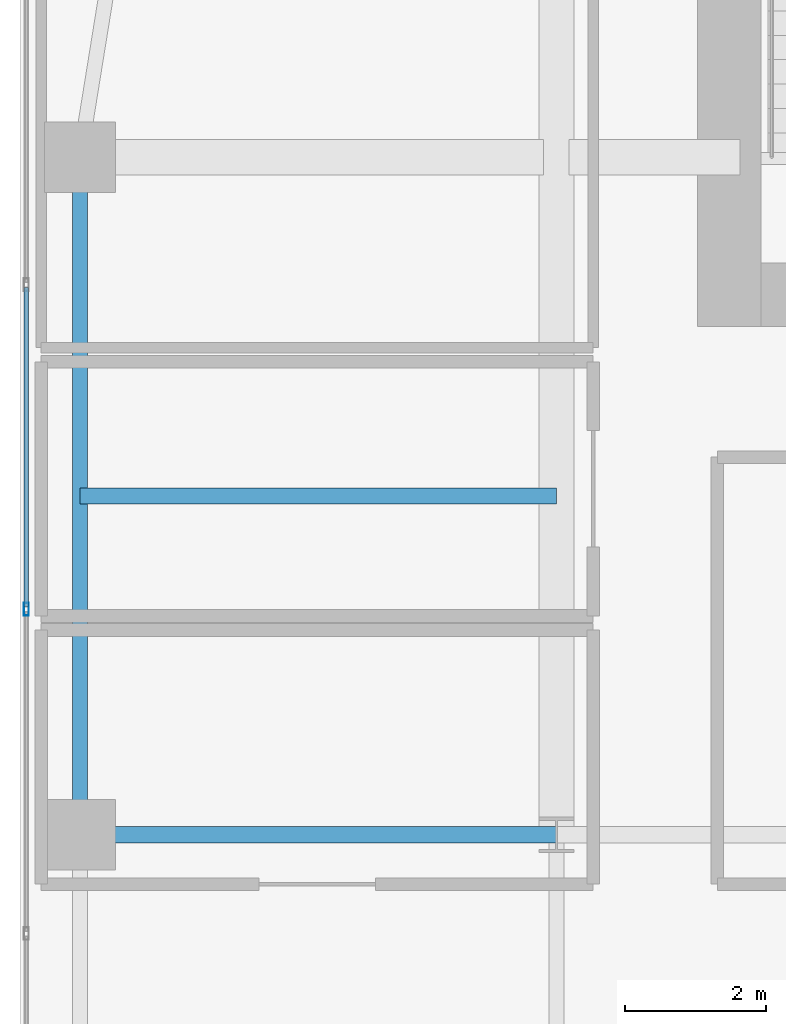
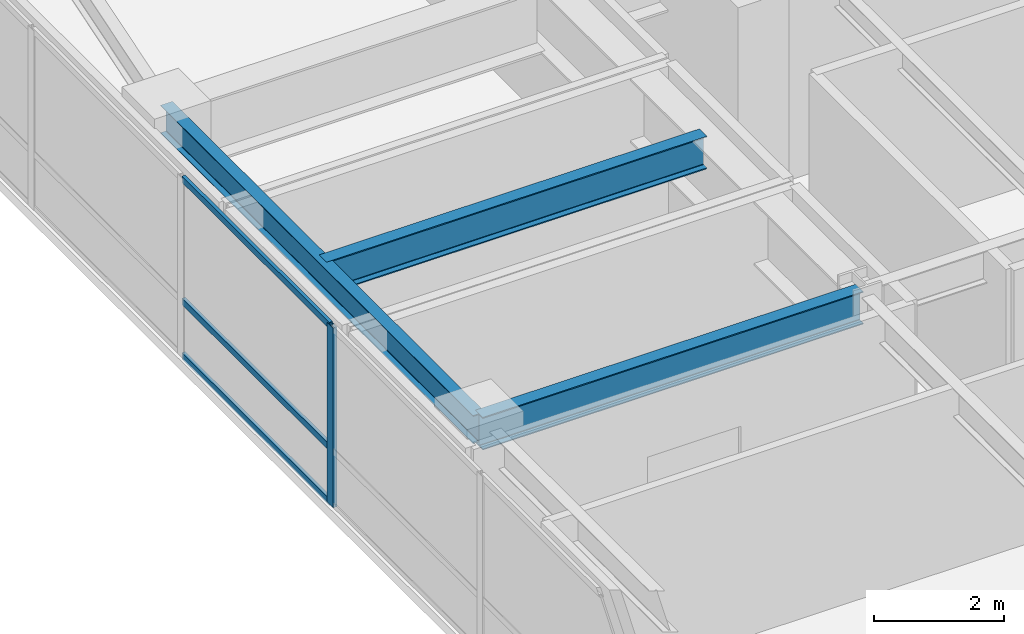
# One storey, part 11 of 30: 4 members, 3 beams, 1 element without a shape of its own.
"""IFC4 building model written with IfcOpenShell, lengths in metres."""

import ifcopenshell
import ifcopenshell.guid

model = None  # the IFC model being written
_history = None  # IfcOwnerHistory: only IFC2X3 demands one
_inside = {}  # id of a spatial element -> (the spatial element, [elements in it])
_under = {}  # id of a project, library or spatial element -> (it, [spatial elements below it])
_declared = {}  # id of a project -> (the project, [libraries it declares])
_typed = {}  # id of a type object -> (the type object, [elements of that type])
_made_of = {}  # id of a material, layer set ... -> (it, [elements and type objects made of it])


def new_model(schema):
    """Start an empty IFC model of exactly this schema.

    Asked for "IFC4X3", IfcOpenShell would pick the latest addendum, in which some entities
    have other attributes; the version numbers below select the first issue.
    IFC2X3 requires an IfcOwnerHistory on every rooted entity: one is made here for all.
    """
    global model, _history
    if schema == "IFC4X3":
        model = ifcopenshell.file(schema_version=(4, 3, 0, 0))
    else:
        model = ifcopenshell.file(schema=schema)
    _inside.clear()
    _under.clear()
    _declared.clear()
    _typed.clear()
    _made_of.clear()
    _history = None
    if model.schema == "IFC2X3":
        org = make("IfcOrganization", Name="unknown")
        user = make(
            "IfcPersonAndOrganization",
            ThePerson=make("IfcPerson", FamilyName="unknown"),
            TheOrganization=org,
        )
        app = make(
            "IfcApplication",
            ApplicationDeveloper=org,
            Version="unknown",
            ApplicationFullName="unknown",
            ApplicationIdentifier="unknown",
        )
        _history = make(
            "IfcOwnerHistory",
            OwningUser=user,
            OwningApplication=app,
            ChangeAction="ADDED",
            CreationDate=0,
        )
    return model


def make(cls, **values):
    """One entity of the class cls with the attributes given. An attribute that is None is left unset."""
    return model.create_entity(
        cls, **{name: value for name, value in values.items() if value is not None}
    )


def rooted(cls, **values):
    """An entity with a GlobalId (a new one), such as an element, a storey or a relation."""
    return make(cls, GlobalId=ifcopenshell.guid.new(), OwnerHistory=_history, **values)


def si_unit(unit_type, name, prefix=None):
    """IfcSIUnit, for example si_unit("LENGTHUNIT", "METRE", prefix="MILLI")."""
    return make("IfcSIUnit", UnitType=unit_type, Prefix=prefix, Name=name)


def assignment(units):
    """IfcUnitAssignment: the units of a project."""
    return None if units is None else make("IfcUnitAssignment", Units=units)


def point(xyz):
    """IfcCartesianPoint."""
    return None if xyz is None else make("IfcCartesianPoint", Coordinates=xyz)


def direction(xyz):
    """IfcDirection."""
    return None if xyz is None else make("IfcDirection", DirectionRatios=xyz)


def frame(location, z_axis=None, x_axis=None):
    """IfcAxis2Placement3D, a coordinate frame: its origin and axes. An axis left out is left unset."""
    return make(
        "IfcAxis2Placement3D",
        Location=point(location),
        Axis=direction(z_axis),
        RefDirection=direction(x_axis),
    )


def frame_2d(location, x_axis=None):
    """IfcAxis2Placement2D, a coordinate frame in the plane: its origin and x axis."""
    return make(
        "IfcAxis2Placement2D", Location=point(location), RefDirection=direction(x_axis)
    )


def origin():
    """The frame at (0, 0, 0) with its axes left unset."""
    return frame((0.0, 0.0, 0.0))


def origin_2d():
    """The frame at (0, 0) in the plane with its x axis left unset."""
    return frame_2d((0.0, 0.0))


def place(relative_to, where):
    """IfcLocalPlacement: puts the frame where relative to a parent placement (None: the world)."""
    return make(
        "IfcLocalPlacement", PlacementRelTo=relative_to, RelativePlacement=where
    )


def context(
    kind, dimensions, precision=None, world=None, true_north=None, identifier=None
):
    """IfcGeometricRepresentationContext, for example the 3D "Model" context."""
    return make(
        "IfcGeometricRepresentationContext",
        ContextIdentifier=identifier,
        ContextType=kind,
        CoordinateSpaceDimension=dimensions,
        Precision=precision,
        WorldCoordinateSystem=world,
        TrueNorth=true_north,
    )


def subcontext(parent, identifier, kind, view, scale=None):
    """IfcGeometricRepresentationSubContext, for example "Body" below "Model"."""
    return make(
        "IfcGeometricRepresentationSubContext",
        ContextIdentifier=identifier,
        ContextType=kind,
        ParentContext=parent,
        TargetScale=scale,
        TargetView=view,
    )


def project(units=None, contexts=None):
    """IfcProject with its units and contexts."""
    return rooted(
        "IfcProject",
        Name="project",
        RepresentationContexts=contexts,
        UnitsInContext=assignment(units),
    )


def spatial(cls, under=None, at=None, **own):
    """A site, building, storey or space (cls), placed at a placement, below another one or the project."""
    s = rooted(cls, ObjectPlacement=at, **own)
    if under is not None:
        _under.setdefault(under.id(), (under, []))[1].append(s)
    return s


def profile(cls, at=None, kind="AREA", **sizes):
    """A parametric profile (cls). Its sizes go by their IFC names, for example OverallWidth=200.0."""
    return make(cls, ProfileType=kind, Position=at, **sizes)


def hollow_rectangle(**sizes):
    """IfcRectangleHollowProfileDef."""
    return profile("IfcRectangleHollowProfileDef", **sizes)


def i_section(**sizes):
    """IfcIShapeProfileDef."""
    return profile("IfcIShapeProfileDef", **sizes)


def extrude(swept, where, along, depth):
    """IfcExtrudedAreaSolid: the profile swept, set in the frame where, extruded along a direction by depth."""
    return make(
        "IfcExtrudedAreaSolid",
        SweptArea=swept,
        Position=where,
        ExtrudedDirection=direction(along),
        Depth=depth,
    )


def shape(context_of_items, identifier, shape_type, items):
    """IfcShapeRepresentation: the items that make up one representation, for example the "Body"."""
    return make(
        "IfcShapeRepresentation",
        ContextOfItems=context_of_items,
        RepresentationIdentifier=identifier,
        RepresentationType=shape_type,
        Items=items,
    )


def source(mapping_origin, context_of_items, identifier, shape_type, items):
    """IfcRepresentationMap: a shape defined once, which mapped items show again and again."""
    return make(
        "IfcRepresentationMap",
        MappingOrigin=mapping_origin,
        MappedRepresentation=shape(context_of_items, identifier, shape_type, items),
    )


def transform(
    local_origin,
    x_axis=None,
    y_axis=None,
    z_axis=None,
    scale=None,
    scale2=None,
    scale3=None,
    uniform=True,
):
    """IfcCartesianTransformationOperator3D, or its non-uniform kind. x_axis, y_axis, z_axis: its Axis1, 2, 3."""
    if uniform:
        return make(
            "IfcCartesianTransformationOperator3D",
            Axis1=direction(x_axis),
            Axis2=direction(y_axis),
            LocalOrigin=point(local_origin),
            Scale=scale,
            Axis3=direction(z_axis),
        )
    return make(
        "IfcCartesianTransformationOperator3DnonUniform",
        Axis1=direction(x_axis),
        Axis2=direction(y_axis),
        LocalOrigin=point(local_origin),
        Scale=scale,
        Axis3=direction(z_axis),
        Scale2=scale2,
        Scale3=scale3,
    )


def mapped(mapping_source, mapping_target):
    """IfcMappedItem: shows the shape of a source again, moved by a transform."""
    return make(
        "IfcMappedItem", MappingSource=mapping_source, MappingTarget=mapping_target
    )


def material(Name=None, Category=None):
    """IfcMaterial."""
    return make("IfcMaterial", Name=Name, Category=Category)


def layer(
    of_material, thickness, ventilated=None, Name=None, Category=None, Priority=None
):
    """IfcMaterialLayer: one layer of a wall or slab, of a material (None: an air gap)."""
    return make(
        "IfcMaterialLayer",
        Material=of_material,
        LayerThickness=thickness,
        IsVentilated=ventilated,
        Name=Name,
        Category=Category,
        Priority=Priority,
    )


def layer_set(layers, Name=None):
    """IfcMaterialLayerSet."""
    return make("IfcMaterialLayerSet", MaterialLayers=layers, LayerSetName=Name)


def material_profile(
    of_material, cross_section, Name=None, Category=None, Priority=None
):
    """IfcMaterialProfile: a cross section and its material."""
    return make(
        "IfcMaterialProfile",
        Name=Name,
        Material=of_material,
        Profile=cross_section,
        Priority=Priority,
        Category=Category,
    )


def profile_set(profiles, Name=None, composite=None):
    """IfcMaterialProfileSet."""
    return make(
        "IfcMaterialProfileSet",
        Name=Name,
        MaterialProfiles=profiles,
        CompositeProfile=composite,
    )


def made_of(thing, what):
    """Note that an element or type object is made of a material, layer set ...; save() writes the relation."""
    if what is not None:
        _made_of.setdefault(what.id(), (what, []))[1].append(thing)
    return thing


def type_object(cls, material=None, **own):
    """A type object (cls), such as IfcWallType, which elements share."""
    return made_of(rooted(cls, **own), material)


def type_shapes(of_type, sources):
    """Give a type object the sources (RepresentationMaps) that its elements show as mapped items."""
    of_type.RepresentationMaps = sources


def element(
    cls,
    number,
    at=None,
    inside=None,
    cuts=None,
    type_object=None,
    material=None,
    context=None,
    identifier="Body",
    shape_type=None,
    held_by="IfcProductDefinitionShape",
    body=None,
    shapes=None,
    **own,
):
    """One element of the class cls, such as IfcWall. Its Tag is "e" and its number.

    at: its placement. inside: the storey or other place that contains it. cuts: it is an
    opening in that element (IfcRelVoidsElement). A single representation is given by context,
    identifier, shape_type and body (its items); several are given by shapes. held_by: the class
    of the entity that holds the representations. save() writes the other relations.
    """
    e = rooted(cls, Tag="e%d" % number, ObjectPlacement=at, **own)
    if body is not None:
        shapes = [shape(context, identifier, shape_type, body)]
    if shapes is not None:
        e.Representation = make(held_by, Representations=shapes)
    if inside is not None:
        _inside.setdefault(inside.id(), (inside, []))[1].append(e)
    if cuts is not None:
        rooted(
            "IfcRelVoidsElement", RelatingBuildingElement=cuts, RelatedOpeningElement=e
        )
    if type_object is not None:
        _typed.setdefault(type_object.id(), (type_object, []))[1].append(e)
    return made_of(e, material)


def aggregate(whole, parts):
    """IfcRelAggregates: a whole, such as a stair, and the parts it consists of."""
    return rooted("IfcRelAggregates", RelatingObject=whole, RelatedObjects=parts)


def save(model, path):
    """Write the relations noted so far, then the file.

    IfcRelAggregates (storeys below a building ...), IfcRelContainedInSpatialStructure (elements
    in a storey), IfcRelDefinesByType, IfcRelAssociatesMaterial and IfcRelDeclares: one each for
    every whole, place, type object, material and project.
    """
    for whole, parts in _under.values():
        aggregate(whole, parts)
    for where, things in _inside.values():
        rooted(
            "IfcRelContainedInSpatialStructure",
            RelatedElements=things,
            RelatingStructure=where,
        )
    for kind, things in _typed.values():
        rooted("IfcRelDefinesByType", RelatedObjects=things, RelatingType=kind)
    for what, things in _made_of.values():
        rooted("IfcRelAssociatesMaterial", RelatedObjects=things, RelatingMaterial=what)
    for by, libraries in _declared.values():
        rooted("IfcRelDeclares", RelatingContext=by, RelatedDefinitions=libraries)
    model.write(path)


model = new_model("IFC4")

# Units and contexts
model_context = context("Model", 3, precision=1e-05, world=origin(), true_north=direction((0.0, 1.0)))
body_context = subcontext(model_context, "Body", "Model", "MODEL_VIEW")
ifc_project = project(units=[si_unit("LENGTHUNIT", "METRE"), si_unit("AREAUNIT", "SQUARE_METRE"), si_unit("VOLUMEUNIT", "CUBIC_METRE"), si_unit("PLANEANGLEUNIT", "RADIAN"), si_unit("MASSUNIT", "GRAM", prefix="KILO")], contexts=[model_context])

# Site, building, storey
site_placement = place(None, origin())
site = spatial("IfcSite", under=ifc_project, at=site_placement, CompositionType="ELEMENT")
building_placement = place(site_placement, origin())
building = spatial("IfcBuilding", under=site, at=building_placement, Name="Tolvann Quenvar Hotel", CompositionType="ELEMENT")
storey_placement = place(building_placement, frame((0.0, 0.0, 56.85009765625)))
storey = spatial("IfcBuildingStorey", under=building, at=storey_placement, Name="L13", CompositionType="ELEMENT", Elevation=56.85009765625)

# Beams
ifc_material_1 = material(Name="Steel Grade 350", Category="steel")
ifc_material_profile_1 = material_profile(ifc_material_1, i_section(OverallWidth=0.22900390625, OverallDepth=0.612060546875, WebThickness=0.011962890625, FlangeThickness=0.01953125, FilletRadius=0.013916015625, at=origin_2d()), Name="610UB125")
ifc_profile_set_1 = profile_set([ifc_material_profile_1], Name="Steel Grade 350")
beam_type_1 = type_object("IfcBeamType", Name="BM_GIRD_610UB125", PredefinedType="BEAM", material=ifc_profile_set_1)
shared_shape_1 = source(origin(), body_context, "Body", "SweptSolid", [
    extrude(i_section(OverallWidth=0.22900390625, OverallDepth=0.612060546875, WebThickness=0.011962890625, FlangeThickness=0.01953125, FilletRadius=0.013916015625, at=origin_2d()), origin(), (0.0, 0.0, 1.0), 6.75),
])
type_shapes(beam_type_1, [shared_shape_1])
for number, where, z_axis, x_axis, name in (
    (1, (0.85009765625, 24.39990234375, 3.06396484375), (1.0, 0.0, 0.0), (0.0, 1.0, 0.0), "BM-L13-EW-5-B5-C5"),
    (2, (0.85009765625, 29.199951171875, 3.06396484375), (1.0, 0.0, 0.0), (0.0, 1.0, 0.0), "BM-L13-EW-BC29"),
):
    element("IfcBeam", number, at=place(storey_placement, frame(where, z_axis=z_axis, x_axis=x_axis)), inside=storey, type_object=beam_type_1, Name=name, PredefinedType="BEAM", context=body_context, shape_type="MappedRepresentation", body=[
        mapped(shared_shape_1, transform((0.0, 0.0, 0.0), x_axis=(1.0, 0.0, 0.0), y_axis=(0.0, 1.0, 0.0), z_axis=(0.0, 0.0, 1.0), scale=1.0)),
    ])
ifc_material_profile_2 = material_profile(ifc_material_1, i_section(OverallWidth=0.208984375, OverallDepth=0.528076171875, WebThickness=0.009521484375, FlangeThickness=0.01318359375, FilletRadius=0.013916015625, at=origin_2d()), Name="530UB82")
ifc_profile_set_2 = profile_set([ifc_material_profile_2], Name="Steel Grade 350")
beam_type_2 = type_object("IfcBeamType", Name="BM_SPAND_530UB82", PredefinedType="SPANDREL", material=ifc_profile_set_2)
shared_shape_2 = source(origin(), body_context, "Body", "SweptSolid", [
    extrude(i_section(OverallWidth=0.208984375, OverallDepth=0.528076171875, WebThickness=0.009521484375, FlangeThickness=0.01318359375, FilletRadius=0.013916015625, at=origin_2d()), origin(), (0.0, 0.0, 1.0), 9.60009765625),
])
type_shapes(beam_type_2, [shared_shape_2])
beam_placement = place(storey_placement, frame((0.85009765625, 24.39990234375, 3.10595703125), z_axis=(0.0, 1.0, 0.0), x_axis=(-1.0, 0.0, 0.0)))
element("IfcBeam", 3, at=beam_placement, inside=storey, type_object=beam_type_2, Name="BM-L13-FLK-W1", PredefinedType="SPANDREL", context=body_context, shape_type="MappedRepresentation", body=[
    mapped(shared_shape_2, transform((0.0, 0.0, 0.0), x_axis=(1.0, 0.0, 0.0), y_axis=(0.0, 1.0, 0.0), z_axis=(0.0, 0.0, 1.0), scale=1.0)),
])

# Curtain wall, members
ifc_material_2 = material(Name="Thermally broken anodised architectural aluminium 6063-T6 and laminated low-E glass", Category="aluminium")
ifc_layer = layer(ifc_material_2, 0.179931640625)
ifc_layer_set = layer_set([ifc_layer], Name="Thermally broken anodised architectural aluminium 6063-T6 and laminated low-E glass")
curtain_wall_type = type_object("IfcCurtainWallType", Name="CW_SYS_BAND_04", PredefinedType="USERDEFINED", material=ifc_layer_set)
curtain_wall_placement = place(storey_placement, origin())
curtain_wall = element("IfcCurtainWall", 4, at=curtain_wall_placement, inside=storey, type_object=curtain_wall_type, Name="Curtain Wall CW-BAND-04 (CWR-L13-E23)", ObjectType="UNITISED CURTAIN WALL", PredefinedType="USERDEFINED")
ifc_material_3 = material(Name="Anodised architectural aluminium 6063-T6 framing", Category="aluminium")
ifc_material_profile_3 = material_profile(ifc_material_3, hollow_rectangle(XDim=0.070068359375, YDim=0.179931640625, WallThickness=0.00390625, at=origin_2d()), Name="180x70x4RHS")
ifc_profile_set_3 = profile_set([ifc_material_profile_3], Name="Anodised architectural aluminium 6063-T6 framing")
member_type_1 = type_object("IfcMemberType", Name="CW_MULL_180x70", PredefinedType="MULLION", material=ifc_profile_set_3)
shared_shape_3 = source(origin(), body_context, "Body", "SweptSolid", [
    extrude(hollow_rectangle(XDim=0.070068359375, YDim=0.179931640625, WallThickness=0.00390625, at=origin_2d()), origin(), (0.0, 0.0, 1.0), 3.369873046875),
])
type_shapes(member_type_1, [shared_shape_3])
member_1_placement = place(storey_placement, frame((0.090087890625, 27.595703125, 0.0), z_axis=(0.0, 0.0, 1.0), x_axis=(1.0, 0.0, 0.0)))
member_1 = element("IfcMember", 5, at=member_1_placement, type_object=member_type_1, Name="CW-BAND-04 mullion 4", PredefinedType="MULLION", context=body_context, shape_type="MappedRepresentation", body=[
    mapped(shared_shape_3, transform((0.0, 0.0, 0.0), x_axis=(1.0, 0.0, 0.0), y_axis=(0.0, 1.0, 0.0), z_axis=(0.0, 0.0, 1.0), scale=1.0)),
])
ifc_material_profile_4 = material_profile(ifc_material_3, hollow_rectangle(XDim=0.06005859375, YDim=0.1201171875, WallThickness=0.00341796875, at=origin_2d()), Name="120x60x3.5RHS")
ifc_profile_set_4 = profile_set([ifc_material_profile_4], Name="Anodised architectural aluminium 6063-T6 framing")
member_type_2 = type_object("IfcMemberType", Name="CW_TRAN_120x60", PredefinedType="USERDEFINED", material=ifc_profile_set_4)
shared_shape_4 = source(origin(), body_context, "Body", "SweptSolid", [
    extrude(hollow_rectangle(XDim=0.06005859375, YDim=0.1201171875, WallThickness=0.00341796875, at=origin_2d()), origin(), (0.0, 0.0, 1.0), 4.52587890625),
])
type_shapes(member_type_2, [shared_shape_4])
member_2_placement = place(storey_placement, frame((0.090087890625, 32.156494140625, 0.02978515625), z_axis=(0.0, -1.0, 0.0), x_axis=(1.0, 0.0, 0.0)))
member_2 = element("IfcMember", 6, at=member_2_placement, type_object=member_type_2, Name="CW-BAND-04 transom 3.1", ObjectType="TRANSOM", PredefinedType="USERDEFINED", context=body_context, shape_type="MappedRepresentation", body=[
    mapped(shared_shape_4, transform((0.0, 0.0, 0.0), x_axis=(1.0, 0.0, 0.0), y_axis=(0.0, 1.0, 0.0), z_axis=(0.0, 0.0, 1.0), scale=1.0)),
])
member_3_placement = place(storey_placement, frame((0.090087890625, 32.156494140625, 1.0498046875), z_axis=(0.0, -1.0, 0.0), x_axis=(1.0, 0.0, 0.0)))
member_3 = element("IfcMember", 7, at=member_3_placement, type_object=member_type_2, Name="CW-BAND-04 transom 3.2", ObjectType="TRANSOM", PredefinedType="USERDEFINED", context=body_context, shape_type="MappedRepresentation", body=[
    mapped(shared_shape_4, transform((0.0, 0.0, 0.0), x_axis=(1.0, 0.0, 0.0), y_axis=(0.0, 1.0, 0.0), z_axis=(0.0, 0.0, 1.0), scale=1.0)),
])
member_4_placement = place(storey_placement, frame((0.090087890625, 32.156494140625, 3.33984375), z_axis=(0.0, -1.0, 0.0), x_axis=(1.0, 0.0, 0.0)))
member_4 = element("IfcMember", 8, at=member_4_placement, type_object=member_type_2, Name="CW-BAND-04 transom 3.3", ObjectType="TRANSOM", PredefinedType="USERDEFINED", context=body_context, shape_type="MappedRepresentation", body=[
    mapped(shared_shape_4, transform((0.0, 0.0, 0.0), x_axis=(1.0, 0.0, 0.0), y_axis=(0.0, 1.0, 0.0), z_axis=(0.0, 0.0, 1.0), scale=1.0)),
])
aggregate(curtain_wall, [member_1, member_2, member_3, member_4])

save(model, "model.ifc")
